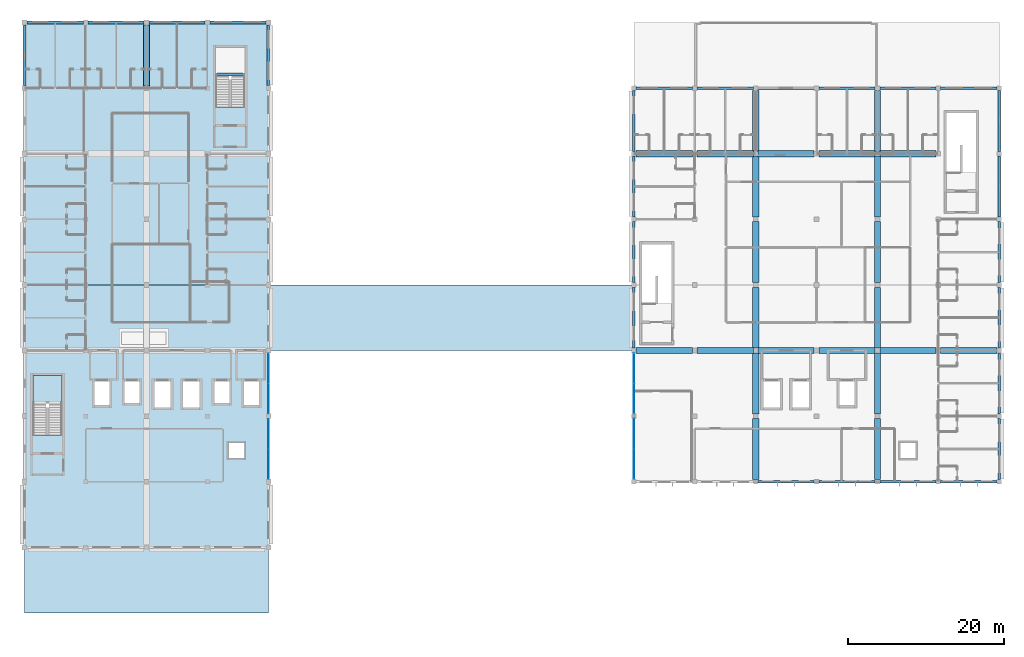
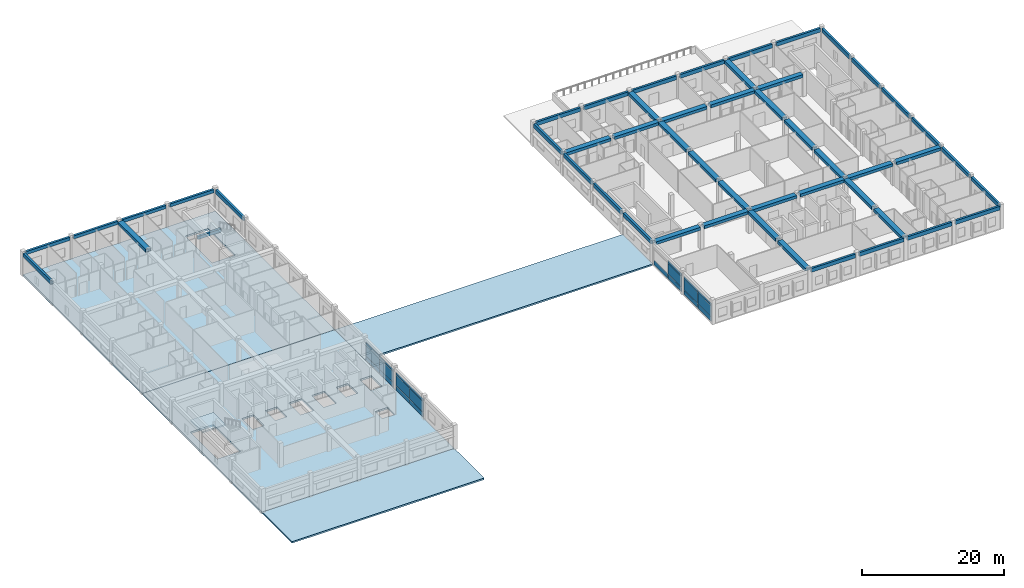
# One storey, part 11 of 32: 51 beams, 22 plates, 5 slabs, 5 elements without a shape of their own.
"""IFC4 building model written with IfcOpenShell, lengths in metres."""

from ifc_helpers import new_model, si_unit, direction, frame, origin, origin_2d, place, context, subcontext, project, spatial, polyline, rectangle, outline, extrude, material, layer, layer_set, material_profile, profile_set, type_object, element, aggregate, save


model = new_model("IFC4")

# Units and contexts
model_context = context("Model", 3, precision=1e-05, world=origin(), true_north=direction((0.0, 1.0)))
body_context = subcontext(model_context, "Body", "Model", "MODEL_VIEW")
ifc_project = project(units=[si_unit("LENGTHUNIT", "METRE"), si_unit("AREAUNIT", "SQUARE_METRE"), si_unit("VOLUMEUNIT", "CUBIC_METRE"), si_unit("PLANEANGLEUNIT", "RADIAN"), si_unit("MASSUNIT", "GRAM", prefix="KILO"), si_unit("THERMODYNAMICTEMPERATUREUNIT", "KELVIN"), si_unit("POWERUNIT", "WATT")], contexts=[model_context])

# Site, building, storey
site_placement = place(None, origin())
site = spatial("IfcSite", under=ifc_project, at=site_placement, CompositionType="ELEMENT")
building_placement = place(site_placement, origin())
building = spatial("IfcBuilding", under=site, at=building_placement, Name="Srebrne Nadtorze General Hospital", CompositionType="ELEMENT")
storey_placement = place(building_placement, frame((0.0, 0.0, 29.699951171875)))
storey = spatial("IfcBuildingStorey", under=building, at=storey_placement, Name="L07", CompositionType="ELEMENT", Elevation=29.699951171875)

# Beams
ifc_material_1 = material(Name="Concrete C35/45", Category="concrete")
ifc_material_profile_1 = material_profile(ifc_material_1, rectangle(XDim=0.35009765625, YDim=0.64990234375, at=origin_2d()), Name="RC-BM-350x650")
ifc_profile_set_1 = profile_set([ifc_material_profile_1], Name="Concrete C35/45")
beam_type_1 = type_object("IfcBeamType", Name="Edge beam RC 350x650", PredefinedType="BEAM", material=ifc_profile_set_1)
for number, where, z_axis, x_axis, name in (
    (1, (117.300048828125, 33.60009765625, 3.574951171875), (1.0, 0.0, 0.0), (0.0, 1.0, 0.0), "Beam BM-L07-X-1255"),
    (2, (125.10009765625, 33.60009765625, 3.574951171875), (1.0, 0.0, 0.0), (0.0, 1.0, 0.0), "Beam BM-L07-X-1256"),
):
    element("IfcBeam", number, at=place(storey_placement, frame(where, z_axis=z_axis, x_axis=x_axis)), inside=storey, type_object=beam_type_1, Name=name, PredefinedType="BEAM", context=body_context, shape_type="SweptSolid", body=[
        extrude(rectangle(XDim=0.35009765625, YDim=0.64990234375, at=origin_2d()), origin(), (0.0, 0.0, 1.0), 7.199951171875),
    ])
beam_1_placement = place(storey_placement, frame((132.89990234375, 33.60009765625, 3.574951171875), z_axis=(1.0, 0.0, 0.0), x_axis=(0.0, 1.0, 0.0)))
element("IfcBeam", 3, at=beam_1_placement, inside=storey, type_object=beam_type_1, Name="Beam BM-L07-X-1257", PredefinedType="BEAM", context=body_context, shape_type="SweptSolid", body=[
    extrude(rectangle(XDim=0.35009765625, YDim=0.64990234375, at=origin_2d()), origin(), (0.0, 0.0, 1.0), 7.2001953125),
])
for number, where, z_axis, x_axis, name in (
    (4, (140.699951171875, 33.60009765625, 3.574951171875), (1.0, 0.0, 0.0), (0.0, 1.0, 0.0), "Beam BM-L07-X-1258"),
    (5, (101.699951171875, 84.0, 3.574951171875), (1.0, 0.0, 0.0), (0.0, 1.0, 0.0), "Beam BM-L07-X-1278"),
    (6, (109.5, 84.0, 3.574951171875), (1.0, 0.0, 0.0), (0.0, 1.0, 0.0), "Beam BM-L07-X-1279"),
    (7, (117.300048828125, 84.0, 3.574951171875), (1.0, 0.0, 0.0), (0.0, 1.0, 0.0), "Beam BM-L07-X-1280"),
    (8, (125.10009765625, 84.0, 3.574951171875), (1.0, 0.0, 0.0), (0.0, 1.0, 0.0), "Beam BM-L07-X-1281"),
):
    element("IfcBeam", number, at=place(storey_placement, frame(where, z_axis=z_axis, x_axis=x_axis)), inside=storey, type_object=beam_type_1, Name=name, PredefinedType="BEAM", context=body_context, shape_type="SweptSolid", body=[
        extrude(rectangle(XDim=0.35009765625, YDim=0.64990234375, at=origin_2d()), origin(), (0.0, 0.0, 1.0), 7.199951171875),
    ])
beam_2_placement = place(storey_placement, frame((132.89990234375, 84.0, 3.574951171875), z_axis=(1.0, 0.0, 0.0), x_axis=(0.0, 1.0, 0.0)))
element("IfcBeam", 9, at=beam_2_placement, inside=storey, type_object=beam_type_1, Name="Beam BM-L07-X-1282", PredefinedType="BEAM", context=body_context, shape_type="SweptSolid", body=[
    extrude(rectangle(XDim=0.35009765625, YDim=0.64990234375, at=origin_2d()), origin(), (0.0, 0.0, 1.0), 7.2001953125),
])
beam_3_placement = place(storey_placement, frame((140.699951171875, 84.0, 3.574951171875), z_axis=(1.0, 0.0, 0.0), x_axis=(0.0, 1.0, 0.0)))
element("IfcBeam", 10, at=beam_3_placement, inside=storey, type_object=beam_type_1, Name="Beam BM-L07-X-1283", PredefinedType="BEAM", context=body_context, shape_type="SweptSolid", body=[
    extrude(rectangle(XDim=0.35009765625, YDim=0.64990234375, at=origin_2d()), origin(), (0.0, 0.0, 1.0), 7.199951171875),
])
for number, where, z_axis, x_axis, name in (
    (11, (23.39990234375, 84.324951171875, 3.574951171875), (0.0, 1.0, 0.0), (-1.0, 0.0, 0.0), "Beam BM-L07-Y-1295"),
    (12, (54.60009765625, 84.324951171875, 3.574951171875), (0.0, 1.0, 0.0), (-1.0, 0.0, 0.0), "Beam BM-L07-Y-1311"),
):
    element("IfcBeam", number, at=place(storey_placement, frame(where, z_axis=z_axis, x_axis=x_axis)), inside=storey, type_object=beam_type_1, Name=name, PredefinedType="BEAM", context=body_context, shape_type="SweptSolid", body=[
        extrude(rectangle(XDim=0.35009765625, YDim=0.64990234375, at=origin_2d()), origin(), (0.0, 0.0, 1.0), 7.75),
    ])
beam_4_placement = place(storey_placement, frame((101.39990234375, 50.699951171875, 3.574951171875), z_axis=(0.0, 1.0, 0.0), x_axis=(-1.0, 0.0, 0.0)))
element("IfcBeam", 13, at=beam_4_placement, inside=storey, type_object=beam_type_1, Name="Beam BM-L07-Y-1314", PredefinedType="BEAM", context=body_context, shape_type="SweptSolid", body=[
    extrude(rectangle(XDim=0.35009765625, YDim=0.64990234375, at=origin_2d()), origin(), (0.0, 0.0, 1.0), 7.800048828125),
])
beam_5_placement = place(storey_placement, frame((101.39990234375, 59.10009765625, 3.574951171875), z_axis=(0.0, 1.0, 0.0), x_axis=(-1.0, 0.0, 0.0)))
element("IfcBeam", 14, at=beam_5_placement, inside=storey, type_object=beam_type_1, Name="Beam BM-L07-Y-1315", PredefinedType="BEAM", context=body_context, shape_type="SweptSolid", body=[
    extrude(rectangle(XDim=0.35009765625, YDim=0.64990234375, at=origin_2d()), origin(), (0.0, 0.0, 1.0), 7.7998046875),
])
for number, where, z_axis, x_axis, name in (
    (15, (101.39990234375, 67.5, 3.574951171875), (0.0, 1.0, 0.0), (-1.0, 0.0, 0.0), "Beam BM-L07-Y-1316"),
    (16, (101.39990234375, 75.89990234375, 3.574951171875), (0.0, 1.0, 0.0), (-1.0, 0.0, 0.0), "Beam BM-L07-Y-1317"),
    (17, (148.199951171875, 33.89990234375, 3.574951171875), (0.0, 1.0, 0.0), (-1.0, 0.0, 0.0), "Beam BM-L07-Y-1330"),
    (18, (148.199951171875, 42.300048828125, 3.574951171875), (0.0, 1.0, 0.0), (-1.0, 0.0, 0.0), "Beam BM-L07-Y-1331"),
    (19, (148.199951171875, 50.699951171875, 3.574951171875), (0.0, 1.0, 0.0), (-1.0, 0.0, 0.0), "Beam BM-L07-Y-1332"),
):
    element("IfcBeam", number, at=place(storey_placement, frame(where, z_axis=z_axis, x_axis=x_axis)), inside=storey, type_object=beam_type_1, Name=name, PredefinedType="BEAM", context=body_context, shape_type="SweptSolid", body=[
        extrude(rectangle(XDim=0.35009765625, YDim=0.64990234375, at=origin_2d()), origin(), (0.0, 0.0, 1.0), 7.800048828125),
    ])
beam_6_placement = place(storey_placement, frame((148.199951171875, 59.10009765625, 3.574951171875), z_axis=(0.0, 1.0, 0.0), x_axis=(-1.0, 0.0, 0.0)))
element("IfcBeam", 20, at=beam_6_placement, inside=storey, type_object=beam_type_1, Name="Beam BM-L07-Y-1333", PredefinedType="BEAM", context=body_context, shape_type="SweptSolid", body=[
    extrude(rectangle(XDim=0.35009765625, YDim=0.64990234375, at=origin_2d()), origin(), (0.0, 0.0, 1.0), 7.7998046875),
])
for number, where, z_axis, x_axis, name in (
    (21, (148.199951171875, 67.5, 3.574951171875), (0.0, 1.0, 0.0), (-1.0, 0.0, 0.0), "Beam BM-L07-Y-1334"),
    (22, (148.199951171875, 75.89990234375, 3.574951171875), (0.0, 1.0, 0.0), (-1.0, 0.0, 0.0), "Beam BM-L07-Y-1335"),
):
    element("IfcBeam", number, at=place(storey_placement, frame(where, z_axis=z_axis, x_axis=x_axis)), inside=storey, type_object=beam_type_1, Name=name, PredefinedType="BEAM", context=body_context, shape_type="SweptSolid", body=[
        extrude(rectangle(XDim=0.35009765625, YDim=0.64990234375, at=origin_2d()), origin(), (0.0, 0.0, 1.0), 7.800048828125),
    ])
ifc_material_2 = material(Name="Concrete C40/50", Category="concrete")
ifc_material_profile_2 = material_profile(ifc_material_2, rectangle(XDim=0.800048828125, YDim=0.5, at=origin_2d()), Name="RC-BM-800x500")
ifc_profile_set_2 = profile_set([ifc_material_profile_2], Name="Concrete C40/50")
beam_type_2 = type_object("IfcBeamType", Name="Primary beam RC 800x500", PredefinedType="BEAM", material=ifc_profile_set_2)
for number, where, z_axis, x_axis, name in (
    (23, (101.699951171875, 50.39990234375, 3.650146484375), (1.0, 0.0, 0.0), (0.0, 1.0, 0.0), "Beam BM-L07-X-1263"),
    (24, (109.5, 50.39990234375, 3.650146484375), (1.0, 0.0, 0.0), (0.0, 1.0, 0.0), "Beam BM-L07-X-1264"),
    (25, (117.300048828125, 50.39990234375, 3.650146484375), (1.0, 0.0, 0.0), (0.0, 1.0, 0.0), "Beam BM-L07-X-1265"),
    (26, (125.10009765625, 50.39990234375, 3.650146484375), (1.0, 0.0, 0.0), (0.0, 1.0, 0.0), "Beam BM-L07-X-1266"),
):
    element("IfcBeam", number, at=place(storey_placement, frame(where, z_axis=z_axis, x_axis=x_axis)), inside=storey, type_object=beam_type_2, Name=name, PredefinedType="BEAM", context=body_context, shape_type="SweptSolid", body=[
        extrude(rectangle(XDim=0.800048828125, YDim=0.5, at=origin_2d()), origin(), (0.0, 0.0, 1.0), 7.199951171875),
    ])
beam_7_placement = place(storey_placement, frame((132.89990234375, 50.39990234375, 3.650146484375), z_axis=(1.0, 0.0, 0.0), x_axis=(0.0, 1.0, 0.0)))
element("IfcBeam", 27, at=beam_7_placement, inside=storey, type_object=beam_type_2, Name="Beam BM-L07-X-1267", PredefinedType="BEAM", context=body_context, shape_type="SweptSolid", body=[
    extrude(rectangle(XDim=0.800048828125, YDim=0.5, at=origin_2d()), origin(), (0.0, 0.0, 1.0), 7.2001953125),
])
for number, where, z_axis, x_axis, name in (
    (28, (140.699951171875, 50.39990234375, 3.650146484375), (1.0, 0.0, 0.0), (0.0, 1.0, 0.0), "Beam BM-L07-X-1268"),
    (29, (101.699951171875, 75.60009765625, 3.650146484375), (1.0, 0.0, 0.0), (0.0, 1.0, 0.0), "Beam BM-L07-X-1273"),
    (30, (109.5, 75.60009765625, 3.650146484375), (1.0, 0.0, 0.0), (0.0, 1.0, 0.0), "Beam BM-L07-X-1274"),
    (31, (117.300048828125, 75.60009765625, 3.650146484375), (1.0, 0.0, 0.0), (0.0, 1.0, 0.0), "Beam BM-L07-X-1275"),
    (32, (125.10009765625, 75.60009765625, 3.650146484375), (1.0, 0.0, 0.0), (0.0, 1.0, 0.0), "Beam BM-L07-X-1276"),
):
    element("IfcBeam", number, at=place(storey_placement, frame(where, z_axis=z_axis, x_axis=x_axis)), inside=storey, type_object=beam_type_2, Name=name, PredefinedType="BEAM", context=body_context, shape_type="SweptSolid", body=[
        extrude(rectangle(XDim=0.800048828125, YDim=0.5, at=origin_2d()), origin(), (0.0, 0.0, 1.0), 7.199951171875),
    ])
beam_8_placement = place(storey_placement, frame((132.89990234375, 75.60009765625, 3.650146484375), z_axis=(1.0, 0.0, 0.0), x_axis=(0.0, 1.0, 0.0)))
element("IfcBeam", 33, at=beam_8_placement, inside=storey, type_object=beam_type_2, Name="Beam BM-L07-X-1277", PredefinedType="BEAM", context=body_context, shape_type="SweptSolid", body=[
    extrude(rectangle(XDim=0.800048828125, YDim=0.5, at=origin_2d()), origin(), (0.0, 0.0, 1.0), 7.2001953125),
])
for number, where, z_axis, x_axis, name in (
    (34, (39.0, 84.300048828125, 3.650146484375), (0.0, 1.0, 0.0), (-1.0, 0.0, 0.0), "Beam BM-L07-Y-1303"),
    (35, (117.0, 33.89990234375, 3.650146484375), (0.0, 1.0, 0.0), (-1.0, 0.0, 0.0), "Beam BM-L07-Y-1318"),
    (36, (117.0, 42.300048828125, 3.650146484375), (0.0, 1.0, 0.0), (-1.0, 0.0, 0.0), "Beam BM-L07-Y-1319"),
    (37, (117.0, 50.699951171875, 3.650146484375), (0.0, 1.0, 0.0), (-1.0, 0.0, 0.0), "Beam BM-L07-Y-1320"),
):
    element("IfcBeam", number, at=place(storey_placement, frame(where, z_axis=z_axis, x_axis=x_axis)), inside=storey, type_object=beam_type_2, Name=name, PredefinedType="BEAM", context=body_context, shape_type="SweptSolid", body=[
        extrude(rectangle(XDim=0.800048828125, YDim=0.5, at=origin_2d()), origin(), (0.0, 0.0, 1.0), 7.800048828125),
    ])
beam_9_placement = place(storey_placement, frame((117.0, 59.10009765625, 3.650146484375), z_axis=(0.0, 1.0, 0.0), x_axis=(-1.0, 0.0, 0.0)))
element("IfcBeam", 38, at=beam_9_placement, inside=storey, type_object=beam_type_2, Name="Beam BM-L07-Y-1321", PredefinedType="BEAM", context=body_context, shape_type="SweptSolid", body=[
    extrude(rectangle(XDim=0.800048828125, YDim=0.5, at=origin_2d()), origin(), (0.0, 0.0, 1.0), 7.7998046875),
])
for number, where, z_axis, x_axis, name in (
    (39, (117.0, 67.5, 3.650146484375), (0.0, 1.0, 0.0), (-1.0, 0.0, 0.0), "Beam BM-L07-Y-1322"),
    (40, (117.0, 75.89990234375, 3.650146484375), (0.0, 1.0, 0.0), (-1.0, 0.0, 0.0), "Beam BM-L07-Y-1323"),
    (41, (132.60009765625, 33.89990234375, 3.650146484375), (0.0, 1.0, 0.0), (-1.0, 0.0, 0.0), "Beam BM-L07-Y-1324"),
    (42, (132.60009765625, 42.300048828125, 3.650146484375), (0.0, 1.0, 0.0), (-1.0, 0.0, 0.0), "Beam BM-L07-Y-1325"),
    (43, (132.60009765625, 50.699951171875, 3.650146484375), (0.0, 1.0, 0.0), (-1.0, 0.0, 0.0), "Beam BM-L07-Y-1326"),
):
    element("IfcBeam", number, at=place(storey_placement, frame(where, z_axis=z_axis, x_axis=x_axis)), inside=storey, type_object=beam_type_2, Name=name, PredefinedType="BEAM", context=body_context, shape_type="SweptSolid", body=[
        extrude(rectangle(XDim=0.800048828125, YDim=0.5, at=origin_2d()), origin(), (0.0, 0.0, 1.0), 7.800048828125),
    ])
beam_10_placement = place(storey_placement, frame((132.60009765625, 59.10009765625, 3.650146484375), z_axis=(0.0, 1.0, 0.0), x_axis=(-1.0, 0.0, 0.0)))
element("IfcBeam", 44, at=beam_10_placement, inside=storey, type_object=beam_type_2, Name="Beam BM-L07-Y-1327", PredefinedType="BEAM", context=body_context, shape_type="SweptSolid", body=[
    extrude(rectangle(XDim=0.800048828125, YDim=0.5, at=origin_2d()), origin(), (0.0, 0.0, 1.0), 7.7998046875),
])
for number, where, z_axis, x_axis, name in (
    (45, (132.60009765625, 67.5, 3.650146484375), (0.0, 1.0, 0.0), (-1.0, 0.0, 0.0), "Beam BM-L07-Y-1328"),
    (46, (132.60009765625, 75.89990234375, 3.650146484375), (0.0, 1.0, 0.0), (-1.0, 0.0, 0.0), "Beam BM-L07-Y-1329"),
):
    element("IfcBeam", number, at=place(storey_placement, frame(where, z_axis=z_axis, x_axis=x_axis)), inside=storey, type_object=beam_type_2, Name=name, PredefinedType="BEAM", context=body_context, shape_type="SweptSolid", body=[
        extrude(rectangle(XDim=0.800048828125, YDim=0.5, at=origin_2d()), origin(), (0.0, 0.0, 1.0), 7.800048828125),
    ])
ifc_material_3 = material(Name="Concrete C35/45", Category="concrete")
ifc_material_profile_3 = material_profile(ifc_material_3, rectangle(XDim=0.35009765625, YDim=0.550048828125, at=origin_2d()), Name="RC-BM-350x550")
ifc_profile_set_3 = profile_set([ifc_material_profile_3], Name="Concrete C35/45")
beam_type_3 = type_object("IfcBeamType", Name="Spandrel lintel beam RC 350x550", PredefinedType="LINTEL", material=ifc_profile_set_3)
beam_11_placement = place(storey_placement, frame((23.72509765625, 92.39990234375, 3.625), z_axis=(1.0, 0.0, 0.0), x_axis=(0.0, 1.0, 0.0)))
element("IfcBeam", 47, at=beam_11_placement, inside=storey, type_object=beam_type_3, Name="Beam BM-L07-X-1284", PredefinedType="LINTEL", context=body_context, shape_type="SweptSolid", body=[
    extrude(rectangle(XDim=0.35009765625, YDim=0.550048828125, at=origin_2d()), origin(), (0.0, 0.0, 1.0), 7.1748046875),
])
for number, where, z_axis, x_axis, name in (
    (48, (31.5, 92.39990234375, 3.625), (1.0, 0.0, 0.0), (0.0, 1.0, 0.0), "Beam BM-L07-X-1285"),
    (49, (39.300048828125, 92.39990234375, 3.625), (1.0, 0.0, 0.0), (0.0, 1.0, 0.0), "Beam BM-L07-X-1286"),
):
    element("IfcBeam", number, at=place(storey_placement, frame(where, z_axis=z_axis, x_axis=x_axis)), inside=storey, type_object=beam_type_3, Name=name, PredefinedType="LINTEL", context=body_context, shape_type="SweptSolid", body=[
        extrude(rectangle(XDim=0.35009765625, YDim=0.550048828125, at=origin_2d()), origin(), (0.0, 0.0, 1.0), 7.199951171875),
    ])
beam_12_placement = place(storey_placement, frame((47.10009765625, 92.39990234375, 3.625), z_axis=(1.0, 0.0, 0.0), x_axis=(0.0, 1.0, 0.0)))
element("IfcBeam", 50, at=beam_12_placement, inside=storey, type_object=beam_type_3, Name="Beam BM-L07-X-1287", PredefinedType="LINTEL", context=body_context, shape_type="SweptSolid", body=[
    extrude(rectangle(XDim=0.35009765625, YDim=0.550048828125, at=origin_2d()), origin(), (0.0, 0.0, 1.0), 7.1748046875),
])
beam_13_placement = place(storey_placement, frame((47.85009765625, 85.760009765625, 1.824951171875), z_axis=(1.0, 0.0, 0.0), x_axis=(0.0, 1.0, 0.0)))
element("IfcBeam", 51, at=beam_13_placement, inside=storey, type_object=beam_type_3, Name="Stair landing header beam ST-02 L07", PredefinedType="LINTEL", context=body_context, shape_type="SweptSolid", body=[
    extrude(rectangle(XDim=0.35009765625, YDim=0.550048828125, at=origin_2d()), origin(), (0.0, 0.0, 1.0), 3.75),
])

# Curtain wall, plates
ifc_material_4 = material(Name="Anodised Aluminium", Category="aluminium")
curtain_wall_type_1 = type_object("IfcCurtainWallType", Name="Unitised curtain wall 7750x3250", PredefinedType="NOTDEFINED", material=ifc_material_4)
curtain_wall_1_placement = place(storey_placement, origin())
curtain_wall_1 = element("IfcCurtainWall", 52, at=curtain_wall_1_placement, inside=storey, type_object=curtain_wall_type_1, Name="Curtain wall CW-154", PredefinedType="NOTDEFINED")
ifc_material_5 = material(Name="Triple Low-E Glazing", Category="glass")
ifc_layer_1 = layer(ifc_material_5, 0.050048828125)
ifc_layer_set_1 = layer_set([ifc_layer_1], Name="Triple Low-E Glazing")
plate_type = type_object("IfcPlateType", Name="Glazed curtain panel 50", PredefinedType="CURTAIN_PANEL", material=ifc_layer_set_1)
plate_1_placement = place(storey_placement, frame((54.60009765625, 35.87744140625, 0.06005859375), z_axis=(0.0, 0.0, 1.0), x_axis=(0.0, 1.0, 0.0)))
plate_1 = element("IfcPlate", 53, at=plate_1_placement, type_object=plate_type, Name="CW-154 panel 1.1", PredefinedType="CURTAIN_PANEL", context=body_context, shape_type="SweptSolid", body=[
    extrude(rectangle(XDim=3.784912109375, YDim=0.050048828125, at=origin_2d()), origin(), (0.0, 0.0, 1.0), 0.760009765625),
])
plate_2_placement = place(storey_placement, frame((54.60009765625, 35.87744140625, 0.8798828125), z_axis=(0.0, 0.0, 1.0), x_axis=(0.0, 1.0, 0.0)))
plate_2 = element("IfcPlate", 54, at=plate_2_placement, type_object=plate_type, Name="CW-154 panel 1.2", PredefinedType="CURTAIN_PANEL", context=body_context, shape_type="SweptSolid", body=[
    extrude(rectangle(XDim=3.784912109375, YDim=0.050048828125, at=origin_2d()), origin(), (0.0, 0.0, 1.0), 1.840087890625),
])
plate_3_placement = place(storey_placement, frame((54.60009765625, 35.87744140625, 2.7802734375), z_axis=(0.0, 0.0, 1.0), x_axis=(0.0, 1.0, 0.0)))
plate_3 = element("IfcPlate", 55, at=plate_3_placement, type_object=plate_type, Name="CW-154 panel 1.3", PredefinedType="CURTAIN_PANEL", context=body_context, shape_type="SweptSolid", body=[
    extrude(rectangle(XDim=3.784912109375, YDim=0.050048828125, at=origin_2d()), origin(), (0.0, 0.0, 1.0), 0.409912109375),
])
plate_4_placement = place(storey_placement, frame((54.60009765625, 39.722412109375, 0.06005859375), z_axis=(0.0, 0.0, 1.0), x_axis=(0.0, 1.0, 0.0)))
plate_4 = element("IfcPlate", 56, at=plate_4_placement, type_object=plate_type, Name="CW-154 panel 2.1", PredefinedType="CURTAIN_PANEL", context=body_context, shape_type="SweptSolid", body=[
    extrude(rectangle(XDim=3.784912109375, YDim=0.050048828125, at=origin_2d()), origin(), (0.0, 0.0, 1.0), 0.760009765625),
])
plate_5_placement = place(storey_placement, frame((54.60009765625, 39.722412109375, 0.8798828125), z_axis=(0.0, 0.0, 1.0), x_axis=(0.0, 1.0, 0.0)))
plate_5 = element("IfcPlate", 57, at=plate_5_placement, type_object=plate_type, Name="CW-154 panel 2.2", PredefinedType="CURTAIN_PANEL", context=body_context, shape_type="SweptSolid", body=[
    extrude(rectangle(XDim=3.784912109375, YDim=0.050048828125, at=origin_2d()), origin(), (0.0, 0.0, 1.0), 1.840087890625),
])
plate_6_placement = place(storey_placement, frame((54.60009765625, 39.722412109375, 2.7802734375), z_axis=(0.0, 0.0, 1.0), x_axis=(0.0, 1.0, 0.0)))
plate_6 = element("IfcPlate", 58, at=plate_6_placement, type_object=plate_type, Name="CW-154 panel 2.3", PredefinedType="CURTAIN_PANEL", context=body_context, shape_type="SweptSolid", body=[
    extrude(rectangle(XDim=3.784912109375, YDim=0.050048828125, at=origin_2d()), origin(), (0.0, 0.0, 1.0), 0.409912109375),
])
aggregate(curtain_wall_1, [plate_1, plate_2, plate_3, plate_4, plate_5, plate_6])

curtain_wall_2_placement = place(storey_placement, origin())
curtain_wall_2 = element("IfcCurtainWall", 59, at=curtain_wall_2_placement, inside=storey, type_object=curtain_wall_type_1, Name="Curtain wall CW-155", PredefinedType="NOTDEFINED")
plate_7_placement = place(storey_placement, frame((54.60009765625, 44.27880859375, 0.065185546875), z_axis=(0.0, 0.0, 1.0), x_axis=(0.0, 1.0, 0.0)))
plate_7 = element("IfcPlate", 60, at=plate_7_placement, type_object=plate_type, Name="CW-155 panel 1.1", PredefinedType="CURTAIN_PANEL", context=body_context, shape_type="SweptSolid", body=[
    extrude(rectangle(XDim=3.777587890625, YDim=0.050048828125, at=origin_2d()), origin(), (0.0, 0.0, 1.0), 0.75244140625),
])
plate_8_placement = place(storey_placement, frame((54.60009765625, 44.27880859375, 0.882568359375), z_axis=(0.0, 0.0, 1.0), x_axis=(0.0, 1.0, 0.0)))
plate_8 = element("IfcPlate", 61, at=plate_8_placement, type_object=plate_type, Name="CW-155 panel 1.2", PredefinedType="CURTAIN_PANEL", context=body_context, shape_type="SweptSolid", body=[
    extrude(rectangle(XDim=3.777587890625, YDim=0.050048828125, at=origin_2d()), origin(), (0.0, 0.0, 1.0), 1.8349609375),
])
plate_9_placement = place(storey_placement, frame((54.60009765625, 44.27880859375, 2.78271484375), z_axis=(0.0, 0.0, 1.0), x_axis=(0.0, 1.0, 0.0)))
plate_9 = element("IfcPlate", 62, at=plate_9_placement, type_object=plate_type, Name="CW-155 panel 1.3", PredefinedType="CURTAIN_PANEL", context=body_context, shape_type="SweptSolid", body=[
    extrude(rectangle(XDim=3.777587890625, YDim=0.050048828125, at=origin_2d()), origin(), (0.0, 0.0, 1.0), 0.402587890625),
])
plate_10_placement = place(storey_placement, frame((54.60009765625, 48.121337890625, 0.065185546875), z_axis=(0.0, 0.0, 1.0), x_axis=(0.0, 1.0, 0.0)))
plate_10 = element("IfcPlate", 63, at=plate_10_placement, type_object=plate_type, Name="CW-155 panel 2.1", PredefinedType="CURTAIN_PANEL", context=body_context, shape_type="SweptSolid", body=[
    extrude(rectangle(XDim=3.777587890625, YDim=0.050048828125, at=origin_2d()), origin(), (0.0, 0.0, 1.0), 0.75244140625),
])
plate_11_placement = place(storey_placement, frame((54.60009765625, 48.121337890625, 0.882568359375), z_axis=(0.0, 0.0, 1.0), x_axis=(0.0, 1.0, 0.0)))
plate_11 = element("IfcPlate", 64, at=plate_11_placement, type_object=plate_type, Name="CW-155 panel 2.2", PredefinedType="CURTAIN_PANEL", context=body_context, shape_type="SweptSolid", body=[
    extrude(rectangle(XDim=3.777587890625, YDim=0.050048828125, at=origin_2d()), origin(), (0.0, 0.0, 1.0), 1.8349609375),
])
plate_12_placement = place(storey_placement, frame((54.60009765625, 48.121337890625, 2.78271484375), z_axis=(0.0, 0.0, 1.0), x_axis=(0.0, 1.0, 0.0)))
plate_12 = element("IfcPlate", 65, at=plate_12_placement, type_object=plate_type, Name="CW-155 panel 2.3", PredefinedType="CURTAIN_PANEL", context=body_context, shape_type="SweptSolid", body=[
    extrude(rectangle(XDim=3.777587890625, YDim=0.050048828125, at=origin_2d()), origin(), (0.0, 0.0, 1.0), 0.402587890625),
])
aggregate(curtain_wall_2, [plate_7, plate_8, plate_9, plate_10, plate_11, plate_12])

ifc_material_6 = material(Name="Anodised Aluminium", Category="aluminium")
curtain_wall_type_2 = type_object("IfcCurtainWallType", Name="Unitised curtain wall 7800x3250", PredefinedType="NOTDEFINED", material=ifc_material_6)
curtain_wall_3_placement = place(storey_placement, origin())
curtain_wall_3 = element("IfcCurtainWall", 66, at=curtain_wall_3_placement, inside=storey, type_object=curtain_wall_type_2, Name="Curtain wall CW-156", PredefinedType="NOTDEFINED")
plate_13_placement = place(storey_placement, frame((101.39990234375, 35.864990234375, 0.06005859375), z_axis=(0.0, 0.0, 1.0), x_axis=(0.0, 1.0, 0.0)))
plate_13 = element("IfcPlate", 67, at=plate_13_placement, type_object=plate_type, Name="CW-156 panel 1.1", PredefinedType="CURTAIN_PANEL", context=body_context, shape_type="SweptSolid", body=[
    extrude(rectangle(XDim=3.81005859375, YDim=0.050048828125, at=origin_2d()), origin(), (0.0, 0.0, 1.0), 0.760009765625),
])
plate_14_placement = place(storey_placement, frame((101.39990234375, 35.864990234375, 0.8798828125), z_axis=(0.0, 0.0, 1.0), x_axis=(0.0, 1.0, 0.0)))
plate_14 = element("IfcPlate", 68, at=plate_14_placement, type_object=plate_type, Name="CW-156 panel 1.2", PredefinedType="CURTAIN_PANEL", context=body_context, shape_type="SweptSolid", body=[
    extrude(rectangle(XDim=3.81005859375, YDim=0.050048828125, at=origin_2d()), origin(), (0.0, 0.0, 1.0), 1.840087890625),
])
plate_15_placement = place(storey_placement, frame((101.39990234375, 35.864990234375, 2.7802734375), z_axis=(0.0, 0.0, 1.0), x_axis=(0.0, 1.0, 0.0)))
plate_15 = element("IfcPlate", 69, at=plate_15_placement, type_object=plate_type, Name="CW-156 panel 1.3", PredefinedType="CURTAIN_PANEL", context=body_context, shape_type="SweptSolid", body=[
    extrude(rectangle(XDim=3.81005859375, YDim=0.050048828125, at=origin_2d()), origin(), (0.0, 0.0, 1.0), 0.409912109375),
])
plate_16_placement = place(storey_placement, frame((101.39990234375, 39.735107421875, 0.06005859375), z_axis=(0.0, 0.0, 1.0), x_axis=(0.0, 1.0, 0.0)))
plate_16 = element("IfcPlate", 70, at=plate_16_placement, type_object=plate_type, Name="CW-156 panel 2.1", PredefinedType="CURTAIN_PANEL", context=body_context, shape_type="SweptSolid", body=[
    extrude(rectangle(XDim=3.81005859375, YDim=0.050048828125, at=origin_2d()), origin(), (0.0, 0.0, 1.0), 0.760009765625),
])
plate_17_placement = place(storey_placement, frame((101.39990234375, 39.735107421875, 0.8798828125), z_axis=(0.0, 0.0, 1.0), x_axis=(0.0, 1.0, 0.0)))
plate_17 = element("IfcPlate", 71, at=plate_17_placement, type_object=plate_type, Name="CW-156 panel 2.2", PredefinedType="CURTAIN_PANEL", context=body_context, shape_type="SweptSolid", body=[
    extrude(rectangle(XDim=3.81005859375, YDim=0.050048828125, at=origin_2d()), origin(), (0.0, 0.0, 1.0), 1.840087890625),
])
plate_18_placement = place(storey_placement, frame((101.39990234375, 39.735107421875, 2.7802734375), z_axis=(0.0, 0.0, 1.0), x_axis=(0.0, 1.0, 0.0)))
plate_18 = element("IfcPlate", 72, at=plate_18_placement, type_object=plate_type, Name="CW-156 panel 2.3", PredefinedType="CURTAIN_PANEL", context=body_context, shape_type="SweptSolid", body=[
    extrude(rectangle(XDim=3.81005859375, YDim=0.050048828125, at=origin_2d()), origin(), (0.0, 0.0, 1.0), 0.409912109375),
])
aggregate(curtain_wall_3, [plate_13, plate_14, plate_15, plate_16, plate_17, plate_18])

curtain_wall_4_placement = place(storey_placement, origin())
curtain_wall_4 = element("IfcCurtainWall", 73, at=curtain_wall_4_placement, inside=storey, type_object=curtain_wall_type_2, Name="Curtain wall CW-157", PredefinedType="NOTDEFINED")
plate_19_placement = place(storey_placement, frame((101.39990234375, 44.266357421875, 0.065185546875), z_axis=(0.0, 0.0, 1.0), x_axis=(0.0, 1.0, 0.0)))
plate_19 = element("IfcPlate", 74, at=plate_19_placement, type_object=plate_type, Name="CW-157 panel 1.1", PredefinedType="CURTAIN_PANEL", context=body_context, shape_type="SweptSolid", body=[
    extrude(rectangle(XDim=3.802490234375, YDim=0.050048828125, at=origin_2d()), origin(), (0.0, 0.0, 1.0), 0.75244140625),
])
plate_20_placement = place(storey_placement, frame((101.39990234375, 44.266357421875, 0.882568359375), z_axis=(0.0, 0.0, 1.0), x_axis=(0.0, 1.0, 0.0)))
plate_20 = element("IfcPlate", 75, at=plate_20_placement, type_object=plate_type, Name="CW-157 panel 1.2", PredefinedType="CURTAIN_PANEL", context=body_context, shape_type="SweptSolid", body=[
    extrude(rectangle(XDim=3.802490234375, YDim=0.050048828125, at=origin_2d()), origin(), (0.0, 0.0, 1.0), 1.8349609375),
])
plate_21_placement = place(storey_placement, frame((101.39990234375, 44.266357421875, 2.78271484375), z_axis=(0.0, 0.0, 1.0), x_axis=(0.0, 1.0, 0.0)))
plate_21 = element("IfcPlate", 76, at=plate_21_placement, type_object=plate_type, Name="CW-157 panel 1.3", PredefinedType="CURTAIN_PANEL", context=body_context, shape_type="SweptSolid", body=[
    extrude(rectangle(XDim=3.802490234375, YDim=0.050048828125, at=origin_2d()), origin(), (0.0, 0.0, 1.0), 0.402587890625),
])
plate_22_placement = place(storey_placement, frame((101.39990234375, 48.1337890625, 0.065185546875), z_axis=(0.0, 0.0, 1.0), x_axis=(0.0, 1.0, 0.0)))
plate_22 = element("IfcPlate", 77, at=plate_22_placement, type_object=plate_type, Name="CW-157 panel 2.1", PredefinedType="CURTAIN_PANEL", context=body_context, shape_type="SweptSolid", body=[
    extrude(rectangle(XDim=3.802490234375, YDim=0.050048828125, at=origin_2d()), origin(), (0.0, 0.0, 1.0), 0.75244140625),
])
aggregate(curtain_wall_4, [plate_19, plate_20, plate_21, plate_22])

# Slabs
ifc_material_7 = material(Name="Concrete C35/45", Category="concrete")
ifc_layer_2 = layer(ifc_material_7, 0.27001953125)
ifc_layer_set_2 = layer_set([ifc_layer_2], Name="Concrete C35/45")
slab_type_1 = type_object("IfcSlabType", Name="Main roof slab 270", PredefinedType="ROOF", material=ifc_layer_set_2)
slab_1_placement = place(storey_placement, frame((0.0, 0.0, -0.27001953125)))
element("IfcSlab", 78, at=slab_1_placement, inside=storey, type_object=slab_type_1, Name="Volume ceiling roof slab RF-L06-03", PredefinedType="ROOF", context=body_context, shape_type="SweptSolid", body=[
    extrude(outline(polyline([(54.60009765625, 50.39990234375), (101.39990234375, 50.39990234375), (101.39990234375, 58.800048828125), (54.60009765625, 58.800048828125), (54.60009765625, 50.39990234375)])), origin(), (0.0, 0.0, 1.0), 0.27001953125),
])
slab_2_placement = place(storey_placement, frame((0.0, 0.0, -0.27001953125)))
element("IfcSlab", 79, at=slab_2_placement, inside=storey, type_object=slab_type_1, Name="Volume ceiling roof slab RF-L06-04", PredefinedType="ROOF", context=body_context, shape_type="SweptSolid", body=[
    extrude(outline(polyline([(54.60009765625, 16.800048828125), (54.60009765625, 25.199951171875), (23.39990234375, 25.199951171875), (23.39990234375, 16.800048828125), (54.60009765625, 16.800048828125)])), origin(), (0.0, 0.0, 1.0), 0.27001953125),
])

# Stair, slab
ifc_material_8 = material(Name="Concrete C35/45", Category="concrete")
stair_type = type_object("IfcStairType", Name="Dog-leg escape stair 420", PredefinedType="HALF_TURN_STAIR", material=ifc_material_8)
stair_placement = place(storey_placement, origin())
stair = element("IfcStair", 80, at=stair_placement, inside=storey, type_object=stair_type, Name="Escape stair ST-01-L07", PredefinedType="HALF_TURN_STAIR")
ifc_material_9 = material(Name="Concrete C35/45", Category="concrete")
ifc_layer_3 = layer(ifc_material_9, 0.219970703125)
ifc_layer_set_3 = layer_set([ifc_layer_3], Name="Concrete C35/45")
slab_type_2 = type_object("IfcSlabType", Name="Stair landing slab 220", PredefinedType="LANDING", material=ifc_layer_set_3)
slab_3_placement = place(storey_placement, frame((0.0, 0.0, 1.880126953125)))
slab_3 = element("IfcSlab", 81, at=slab_3_placement, type_object=slab_type_2, Name="ST-01 landing 1", PredefinedType="LANDING", context=body_context, shape_type="SweptSolid", body=[
    extrude(outline(polyline([(24.449951171875, 43.760009765625), (28.199951171875, 43.760009765625), (28.199951171875, 47.199951171875), (24.449951171875, 47.199951171875), (24.449951171875, 43.760009765625)])), origin(), (0.0, 0.0, 1.0), 0.219970703125),
])
aggregate(stair, [slab_3])

# Slabs
ifc_material_10 = material(Name="Concrete C35/45", Category="concrete")
ifc_layer_4 = layer(ifc_material_10, 0.300048828125)
ifc_layer_set_4 = layer_set([ifc_layer_4], Name="Concrete C35/45")
slab_type_3 = type_object("IfcSlabType", Name="Suspended floor slab 300", PredefinedType="FLOOR", material=ifc_layer_set_4)
slab_4_placement = place(storey_placement, frame((0.0, 0.0, -0.300048828125)))
element("IfcSlab", 82, at=slab_4_placement, inside=storey, type_object=slab_type_3, Name="Suspended floor slab SL-L07-WS", PredefinedType="FLOOR", context=body_context, shape_type="SweptSolid", body=[
    extrude(outline(polyline([(54.60009765625, 25.199951171875), (54.60009765625, 58.800048828125), (23.39990234375, 58.800048828125), (23.39990234375, 25.199951171875), (54.60009765625, 25.199951171875)]), holes=[polyline([(51.5, 38.60009765625), (51.5, 36.60009765625), (49.5, 36.60009765625), (49.5, 38.60009765625), (51.5, 38.60009765625)]), polyline([(28.199951171875, 39.60498046875), (24.449951171875, 39.60498046875), (24.449951171875, 47.199951171875), (28.199951171875, 47.199951171875), (28.199951171875, 39.60498046875)]), polyline([(42.10009765625, 43.110107421875), (40.0, 43.110107421875), (40.0, 46.4599609375), (42.10009765625, 46.4599609375), (42.10009765625, 43.110107421875)]), polyline([(45.800048828125, 43.110107421875), (43.699951171875, 43.110107421875), (43.699951171875, 46.4599609375), (45.800048828125, 46.4599609375), (45.800048828125, 43.110107421875)]), polyline([(34.25, 43.409912109375), (32.35009765625, 43.409912109375), (32.35009765625, 46.4599609375), (34.25, 46.4599609375), (34.25, 43.409912109375)]), polyline([(38.10009765625, 43.7099609375), (36.199951171875, 43.7099609375), (36.199951171875, 46.4599609375), (38.10009765625, 46.4599609375), (38.10009765625, 43.7099609375)]), polyline([(49.60009765625, 43.7099609375), (47.699951171875, 43.7099609375), (47.699951171875, 46.4599609375), (49.60009765625, 46.4599609375), (49.60009765625, 43.7099609375)]), polyline([(53.39990234375, 43.409912109375), (51.5, 43.409912109375), (51.5, 46.4599609375), (53.39990234375, 46.4599609375), (53.39990234375, 43.409912109375)])]), origin(), (0.0, 0.0, 1.0), 0.300048828125),
])
slab_5_placement = place(storey_placement, frame((0.0, 0.0, -0.300048828125)))
element("IfcSlab", 83, at=slab_5_placement, inside=storey, type_object=slab_type_3, Name="Suspended floor slab SL-L07-WN", PredefinedType="FLOOR", context=body_context, shape_type="SweptSolid", body=[
    extrude(outline(polyline([(54.60009765625, 58.800048828125), (54.60009765625, 92.39990234375), (23.39990234375, 92.39990234375), (23.39990234375, 58.800048828125), (54.60009765625, 58.800048828125)]), holes=[polyline([(51.60009765625, 81.60498046875), (47.85009765625, 81.60498046875), (47.85009765625, 89.199951171875), (51.60009765625, 89.199951171875), (51.60009765625, 81.60498046875)])]), origin(), (0.0, 0.0, 1.0), 0.300048828125),
])

save(model, "model.ifc")
